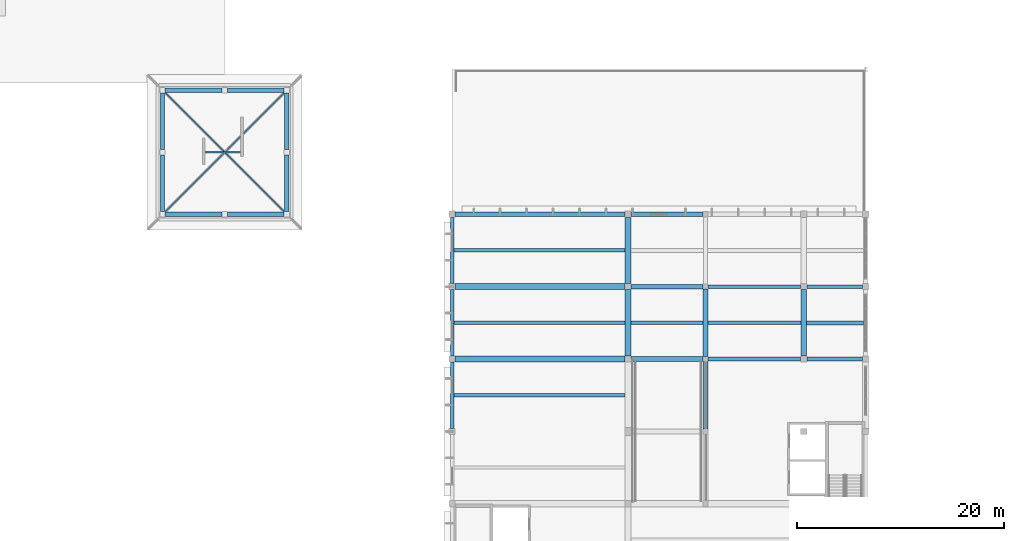
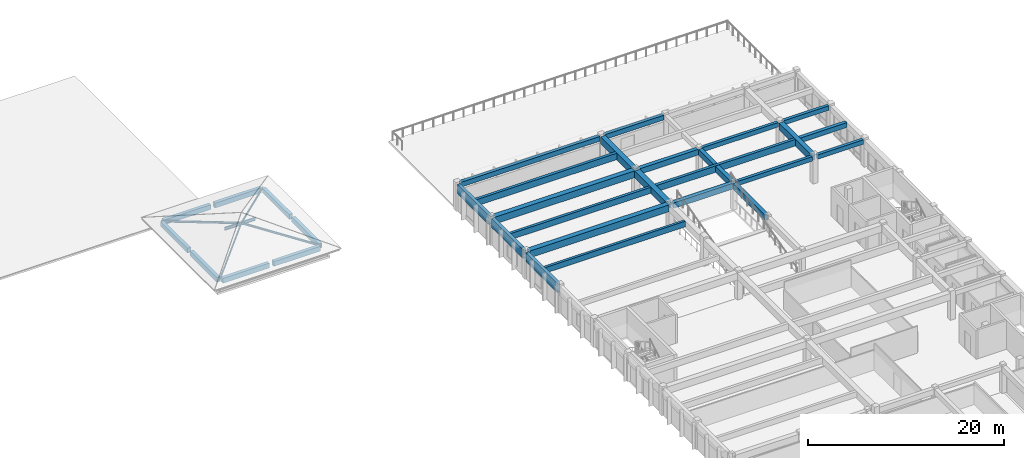
# One storey, part 13 of 33: 32 beams, 4 members.
"""IFC4 building model written with IfcOpenShell, lengths in metres."""

from ifc_helpers import new_model, si_unit, direction, frame, origin, origin_2d, place, context, subcontext, project, spatial, rectangle, i_section, extrude, material, material_profile, profile_set, type_object, element, save


model = new_model("IFC4")

# Units and contexts
model_context = context("Model", 3, precision=1e-05, world=origin(), true_north=direction((0.0, 1.0)))
body_context = subcontext(model_context, "Body", "Model", "MODEL_VIEW")
ifc_project = project(units=[si_unit("LENGTHUNIT", "METRE"), si_unit("AREAUNIT", "SQUARE_METRE"), si_unit("VOLUMEUNIT", "CUBIC_METRE"), si_unit("PLANEANGLEUNIT", "RADIAN"), si_unit("MASSUNIT", "GRAM", prefix="KILO")], contexts=[model_context])

# Site, building, storey
site_placement = place(None, origin())
site = spatial("IfcSite", under=ifc_project, at=site_placement, CompositionType="ELEMENT")
building_placement = place(site_placement, origin())
building = spatial("IfcBuilding", under=site, at=building_placement, Name="Larkveld Mobility Hub", CompositionType="ELEMENT")
storey_placement = place(building_placement, frame((0.0, 0.0, 15.60009765625)))
storey = spatial("IfcBuildingStorey", under=building, at=storey_placement, Name="L04", CompositionType="ELEMENT", Elevation=15.60009765625)

# Beams
ifc_material_1 = material(Name="Precast concrete C50/60", Category="concrete")
ifc_material_profile_1 = material_profile(ifc_material_1, rectangle(XDim=0.300048828125, YDim=0.699951171875, at=origin_2d()), Name="PC DT 300x700")
ifc_profile_set_1 = profile_set([ifc_material_profile_1], Name="Precast concrete C50/60")
beam_type_1 = type_object("IfcBeamType", Name="BM-DT3070", PredefinedType="T_BEAM", material=ifc_profile_set_1)
beam_1_placement = place(storey_placement, frame((112.169921875, 66.5, 3.02001953125), z_axis=(1.0, 0.0, 0.0), x_axis=(0.0, 1.0, 0.0)))
element("IfcBeam", 1, at=beam_1_placement, inside=storey, type_object=beam_type_1, Name="Precast Double-Tee Stem L04-1138", PredefinedType="T_BEAM", context=body_context, shape_type="SweptSolid", body=[
    extrude(rectangle(XDim=0.300048828125, YDim=0.699951171875, at=origin_2d()), origin(), (0.0, 0.0, 1.0), 16.53515625),
])
ifc_material_profile_2 = material_profile(ifc_material_1, rectangle(XDim=0.320068359375, YDim=0.75, at=origin_2d()), Name="PC DT 320x750")
ifc_profile_set_2 = profile_set([ifc_material_profile_2], Name="Precast concrete C50/60")
beam_type_2 = type_object("IfcBeamType", Name="BM-DT3275", PredefinedType="T_BEAM", material=ifc_profile_set_2)
beam_2_placement = place(storey_placement, frame((112.169921875, 73.5, 2.994873046875), z_axis=(1.0, 0.0, 0.0), x_axis=(0.0, 1.0, 0.0)))
element("IfcBeam", 2, at=beam_2_placement, inside=storey, type_object=beam_type_2, Name="Precast Double-Tee Stem L04-1139", PredefinedType="T_BEAM", context=body_context, shape_type="SweptSolid", body=[
    extrude(rectangle(XDim=0.320068359375, YDim=0.75, at=origin_2d()), origin(), (0.0, 0.0, 1.0), 16.53515625),
])
ifc_material_profile_3 = material_profile(ifc_material_1, rectangle(XDim=0.340087890625, YDim=0.800048828125, at=origin_2d()), Name="PC DT 340x800")
ifc_profile_set_3 = profile_set([ifc_material_profile_3], Name="Precast concrete C50/60")
beam_type_3 = type_object("IfcBeamType", Name="BM-DT3480", PredefinedType="T_BEAM", material=ifc_profile_set_3)
beam_3_placement = place(storey_placement, frame((129.294921875, 73.5, 2.969970703125), z_axis=(1.0, 0.0, 0.0), x_axis=(0.0, 1.0, 0.0)))
element("IfcBeam", 3, at=beam_3_placement, inside=storey, type_object=beam_type_3, Name="Precast Double-Tee Stem L04-1140", PredefinedType="T_BEAM", context=body_context, shape_type="SweptSolid", body=[
    extrude(rectangle(XDim=0.340087890625, YDim=0.800048828125, at=origin_2d()), origin(), (0.0, 0.0, 1.0), 16.43505859375),
])
beam_4_placement = place(storey_placement, frame((112.169921875, 80.5, 2.969970703125), z_axis=(1.0, 0.0, 0.0), x_axis=(0.0, 1.0, 0.0)))
element("IfcBeam", 4, at=beam_4_placement, inside=storey, type_object=beam_type_3, Name="Precast Double-Tee Stem L04-1142", PredefinedType="T_BEAM", context=body_context, shape_type="SweptSolid", body=[
    extrude(rectangle(XDim=0.340087890625, YDim=0.800048828125, at=origin_2d()), origin(), (0.0, 0.0, 1.0), 16.53515625),
])
ifc_material_profile_4 = material_profile(ifc_material_1, rectangle(XDim=0.60009765625, YDim=0.85009765625, at=origin_2d()), Name="PC ITB 600x850")
ifc_profile_set_4 = profile_set([ifc_material_profile_4], Name="Precast concrete C50/60")
beam_type_4 = type_object("IfcBeamType", Name="BM-ITB6085", PredefinedType="T_BEAM", material=ifc_profile_set_4)
for number, where, z_axis, x_axis, name in (
    (5, (112.300048828125, 70.0, 2.934814453125), (1.0, 0.0, 0.0), (0.0, 1.0, 0.0), "Primary E-W Girder L04-0884"),
    (6, (112.300048828125, 77.0, 2.934814453125), (1.0, 0.0, 0.0), (0.0, 1.0, 0.0), "Primary E-W Girder L04-0888"),
):
    element("IfcBeam", number, at=place(storey_placement, frame(where, z_axis=z_axis, x_axis=x_axis)), inside=storey, type_object=beam_type_4, Name=name, PredefinedType="T_BEAM", context=body_context, shape_type="SweptSolid", body=[
        extrude(rectangle(XDim=0.60009765625, YDim=0.85009765625, at=origin_2d()), origin(), (0.0, 0.0, 1.0), 16.39990234375),
    ])
for number, where, z_axis, x_axis, name in (
    (7, (129.0, 70.300048828125, 2.934814453125), (0.0, 1.0, 0.0), (-1.0, 0.0, 0.0), "Primary N-S Girder L04-0916"),
    (8, (129.0, 77.300048828125, 2.934814453125), (0.0, 1.0, 0.0), (-1.0, 0.0, 0.0), "Primary N-S Girder L04-0917"),
):
    element("IfcBeam", number, at=place(storey_placement, frame(where, z_axis=z_axis, x_axis=x_axis)), inside=storey, type_object=beam_type_4, Name=name, PredefinedType="T_BEAM", context=body_context, shape_type="SweptSolid", body=[
        extrude(rectangle(XDim=0.60009765625, YDim=0.85009765625, at=origin_2d()), origin(), (0.0, 0.0, 1.0), 6.39990234375),
    ])
ifc_material_2 = material(Name="Concrete C40/50", Category="concrete")
ifc_material_profile_5 = material_profile(ifc_material_2, rectangle(XDim=0.35009765625, YDim=0.550048828125, at=origin_2d()), Name="RC BM 350x550")
ifc_profile_set_5 = profile_set([ifc_material_profile_5], Name="Concrete C40/50")
beam_type_5 = type_object("IfcBeamType", Name="BM-RC3555", PredefinedType="BEAM", material=ifc_profile_set_5)
beam_5_placement = place(storey_placement, frame((136.75, 70.0, 3.0849609375), z_axis=(1.0, 0.0, 0.0), x_axis=(0.0, 1.0, 0.0)))
element("IfcBeam", 9, at=beam_5_placement, inside=storey, type_object=beam_type_5, Name="Primary E-W Girder L04-0886", PredefinedType="BEAM", context=body_context, shape_type="SweptSolid", body=[
    extrude(rectangle(XDim=0.35009765625, YDim=0.550048828125, at=origin_2d()), origin(), (0.0, 0.0, 1.0), 8.949951171875),
])
beam_6_placement = place(storey_placement, frame((146.300048828125, 70.0, 3.0849609375), z_axis=(1.0, 0.0, 0.0), x_axis=(0.0, 1.0, 0.0)))
element("IfcBeam", 10, at=beam_6_placement, inside=storey, type_object=beam_type_5, Name="Primary E-W Girder L04-0887", PredefinedType="BEAM", context=body_context, shape_type="SweptSolid", body=[
    extrude(rectangle(XDim=0.35009765625, YDim=0.550048828125, at=origin_2d()), origin(), (0.0, 0.0, 1.0), 5.39990234375),
])
beam_7_placement = place(storey_placement, frame((136.75, 77.0, 3.0849609375), z_axis=(1.0, 0.0, 0.0), x_axis=(0.0, 1.0, 0.0)))
element("IfcBeam", 11, at=beam_7_placement, inside=storey, type_object=beam_type_5, Name="Primary E-W Girder L04-0890", PredefinedType="BEAM", context=body_context, shape_type="SweptSolid", body=[
    extrude(rectangle(XDim=0.35009765625, YDim=0.550048828125, at=origin_2d()), origin(), (0.0, 0.0, 1.0), 8.949951171875),
])
beam_8_placement = place(storey_placement, frame((146.300048828125, 77.0, 3.0849609375), z_axis=(1.0, 0.0, 0.0), x_axis=(0.0, 1.0, 0.0)))
element("IfcBeam", 12, at=beam_8_placement, inside=storey, type_object=beam_type_5, Name="Primary E-W Girder L04-0891", PredefinedType="BEAM", context=body_context, shape_type="SweptSolid", body=[
    extrude(rectangle(XDim=0.35009765625, YDim=0.550048828125, at=origin_2d()), origin(), (0.0, 0.0, 1.0), 5.39990234375),
])
ifc_material_profile_6 = material_profile(ifc_material_2, rectangle(XDim=0.39990234375, YDim=0.60009765625, at=origin_2d()), Name="RC BM 400x600")
ifc_profile_set_6 = profile_set([ifc_material_profile_6], Name="Concrete C40/50")
beam_type_6 = type_object("IfcBeamType", Name="BM-RC4060", PredefinedType="BEAM", material=ifc_profile_set_6)
beam_9_placement = place(storey_placement, frame((112.300048828125, 84.0, 3.059814453125), z_axis=(1.0, 0.0, 0.0), x_axis=(0.0, 1.0, 0.0)))
element("IfcBeam", 13, at=beam_9_placement, inside=storey, type_object=beam_type_6, Name="Primary E-W Girder L04-0892", PredefinedType="BEAM", context=body_context, shape_type="SweptSolid", body=[
    extrude(rectangle(XDim=0.39990234375, YDim=0.60009765625, at=origin_2d()), origin(), (0.0, 0.0, 1.0), 16.39990234375),
])
beam_10_placement = place(storey_placement, frame((129.300048828125, 84.0, 3.059814453125), z_axis=(1.0, 0.0, 0.0), x_axis=(0.0, 1.0, 0.0)))
element("IfcBeam", 14, at=beam_10_placement, inside=storey, type_object=beam_type_6, Name="Primary E-W Girder L04-0893", PredefinedType="BEAM", context=body_context, shape_type="SweptSolid", body=[
    extrude(rectangle(XDim=0.39990234375, YDim=0.60009765625, at=origin_2d()), origin(), (0.0, 0.0, 1.0), 6.949951171875),
])
for number, where, z_axis, x_axis, name in (
    (15, (84.25, 84.0, 0.89990234375), (1.0, 0.0, 0.0), (0.0, 1.0, 0.0), "Pavilion Crown Eave Beam L04-0943"),
    (16, (90.25, 84.0, 0.89990234375), (1.0, 0.0, 0.0), (0.0, 1.0, 0.0), "Pavilion Crown Eave Beam L04-0943"),
    (17, (84.25, 96.0, 0.89990234375), (1.0, 0.0, 0.0), (0.0, 1.0, 0.0), "Pavilion Crown Eave Beam L04-0943"),
    (18, (90.25, 96.0, 0.89990234375), (1.0, 0.0, 0.0), (0.0, 1.0, 0.0), "Pavilion Crown Eave Beam L04-0943"),
    (19, (84.0, 84.25, 0.89990234375), (0.0, 1.0, 0.0), (-1.0, 0.0, 0.0), "Pavilion Crown Eave Beam L04-0943"),
    (20, (84.0, 90.25, 0.89990234375), (0.0, 1.0, 0.0), (-1.0, 0.0, 0.0), "Pavilion Crown Eave Beam L04-0943"),
    (21, (96.0, 84.25, 0.89990234375), (0.0, 1.0, 0.0), (-1.0, 0.0, 0.0), "Pavilion Crown Eave Beam L04-0943"),
    (22, (96.0, 90.25, 0.89990234375), (0.0, 1.0, 0.0), (-1.0, 0.0, 0.0), "Pavilion Crown Eave Beam L04-0943"),
):
    element("IfcBeam", number, at=place(storey_placement, frame(where, z_axis=z_axis, x_axis=x_axis)), inside=storey, type_object=beam_type_6, Name=name, PredefinedType="BEAM", context=body_context, shape_type="SweptSolid", body=[
        extrude(rectangle(XDim=0.39990234375, YDim=0.60009765625, at=origin_2d()), origin(), (0.0, 0.0, 1.0), 5.5),
    ])
beam_11_placement = place(storey_placement, frame((146.27001953125, 73.5, 3.06982421875), z_axis=(1.0, 0.0, 0.0), x_axis=(0.0, 1.0, 0.0)))
element("IfcBeam", 23, at=beam_11_placement, inside=storey, type_object=beam_type_6, Name="Concourse Spine Joist L04-1141", PredefinedType="BEAM", context=body_context, shape_type="SweptSolid", body=[
    extrude(rectangle(XDim=0.39990234375, YDim=0.60009765625, at=origin_2d()), origin(), (0.0, 0.0, 1.0), 5.510009765625),
])
ifc_material_profile_7 = material_profile(ifc_material_2, rectangle(XDim=0.449951171875, YDim=0.699951171875, at=origin_2d()), Name="RC BM 450x700")
ifc_profile_set_7 = profile_set([ifc_material_profile_7], Name="Concrete C40/50")
beam_type_7 = type_object("IfcBeamType", Name="BM-RC4570", PredefinedType="BEAM", material=ifc_profile_set_7)
for number, where, z_axis, x_axis, name in (
    (24, (129.300048828125, 70.0, 3.010009765625), (1.0, 0.0, 0.0), (0.0, 1.0, 0.0), "Primary E-W Girder L04-0885"),
    (25, (129.300048828125, 77.0, 3.010009765625), (1.0, 0.0, 0.0), (0.0, 1.0, 0.0), "Primary E-W Girder L04-0889"),
):
    element("IfcBeam", number, at=place(storey_placement, frame(where, z_axis=z_axis, x_axis=x_axis)), inside=storey, type_object=beam_type_7, Name=name, PredefinedType="BEAM", context=body_context, shape_type="SweptSolid", body=[
        extrude(rectangle(XDim=0.449951171875, YDim=0.699951171875, at=origin_2d()), origin(), (0.0, 0.0, 1.0), 6.949951171875),
    ])
beam_12_placement = place(storey_placement, frame((136.5, 63.25, 3.010009765625), z_axis=(0.0, 1.0, 0.0), x_axis=(-1.0, 0.0, 0.0)))
element("IfcBeam", 26, at=beam_12_placement, inside=storey, type_object=beam_type_7, Name="Ramp Edge Girder L04-0943", PredefinedType="BEAM", context=body_context, shape_type="SweptSolid", body=[
    extrude(rectangle(XDim=0.449951171875, YDim=0.699951171875, at=origin_2d()), origin(), (0.0, 0.0, 1.0), 6.5),
])
ifc_material_profile_8 = material_profile(ifc_material_2, rectangle(XDim=0.449951171875, YDim=0.75, at=origin_2d()), Name="RC BM 450x750")
ifc_profile_set_8 = profile_set([ifc_material_profile_8], Name="Concrete C40/50")
beam_type_8 = type_object("IfcBeamType", Name="BM-RC4575", PredefinedType="BEAM", material=ifc_profile_set_8)
beam_13_placement = place(storey_placement, frame((136.5, 70.25, 2.98486328125), z_axis=(0.0, 1.0, 0.0), x_axis=(-1.0, 0.0, 0.0)))
element("IfcBeam", 27, at=beam_13_placement, inside=storey, type_object=beam_type_8, Name="Primary N-S Girder L04-0921", PredefinedType="BEAM", context=body_context, shape_type="SweptSolid", body=[
    extrude(rectangle(XDim=0.449951171875, YDim=0.75, at=origin_2d()), origin(), (0.0, 0.0, 1.0), 6.5),
])
ifc_material_profile_9 = material_profile(ifc_material_2, rectangle(XDim=0.550048828125, YDim=0.85009765625, at=origin_2d()), Name="RC BM 550x850")
ifc_profile_set_9 = profile_set([ifc_material_profile_9], Name="Concrete C40/50")
beam_type_9 = type_object("IfcBeamType", Name="BM-RC5585", PredefinedType="BEAM", material=ifc_profile_set_9)
beam_14_placement = place(storey_placement, frame((146.0, 70.300048828125, 2.934814453125), z_axis=(0.0, 1.0, 0.0), x_axis=(-1.0, 0.0, 0.0)))
element("IfcBeam", 28, at=beam_14_placement, inside=storey, type_object=beam_type_9, Name="Primary N-S Girder L04-0928", PredefinedType="BEAM", context=body_context, shape_type="SweptSolid", body=[
    extrude(rectangle(XDim=0.550048828125, YDim=0.85009765625, at=origin_2d()), origin(), (0.0, 0.0, 1.0), 6.39990234375),
])
ifc_material_profile_10 = material_profile(ifc_material_1, rectangle(XDim=0.35009765625, YDim=1.14990234375, at=origin_2d()), Name="PC SP 350x1150")
ifc_profile_set_10 = profile_set([ifc_material_profile_10], Name="Precast concrete C50/60")
beam_type_10 = type_object("IfcBeamType", Name="BM-SP35115", PredefinedType="SPANDREL", material=ifc_profile_set_10)
for number, where, z_axis, x_axis, name in (
    (29, (112.0, 63.300048828125, 2.784912109375), (0.0, 1.0, 0.0), (-1.0, 0.0, 0.0), "Primary N-S Girder L04-0904"),
    (30, (112.0, 70.300048828125, 2.784912109375), (0.0, 1.0, 0.0), (-1.0, 0.0, 0.0), "Primary N-S Girder L04-0905"),
    (31, (112.0, 77.300048828125, 2.784912109375), (0.0, 1.0, 0.0), (-1.0, 0.0, 0.0), "Primary N-S Girder L04-0906"),
):
    element("IfcBeam", number, at=place(storey_placement, frame(where, z_axis=z_axis, x_axis=x_axis)), inside=storey, type_object=beam_type_10, Name=name, PredefinedType="SPANDREL", context=body_context, shape_type="SweptSolid", body=[
        extrude(rectangle(XDim=0.35009765625, YDim=1.14990234375, at=origin_2d()), origin(), (0.0, 0.0, 1.0), 6.39990234375),
    ])
ifc_material_3 = material(Name="Steel S355JR", Category="steel")
ifc_material_profile_11 = material_profile(ifc_material_3, i_section(OverallWidth=0.169921875, OverallDepth=0.360107421875, WebThickness=0.008056640625, FlangeThickness=0.0126953125, FilletRadius=0.01806640625, at=origin_2d()), Name="IPE 360")
ifc_profile_set_11 = profile_set([ifc_material_profile_11], Name="Steel S355JR")
beam_type_11 = type_object("IfcBeamType", Name="BM-STIPE360", PredefinedType="BEAM", material=ifc_profile_set_11)
beam_15_placement = place(storey_placement, frame((88.0, 90.0, 2.31982421875), z_axis=(1.0, 0.0, 0.0), x_axis=(0.0, 1.0, 0.0)))
element("IfcBeam", 32, at=beam_15_placement, inside=storey, type_object=beam_type_11, Name="Pavilion Apex Ridge Support Beam L04-1749", PredefinedType="BEAM", context=body_context, shape_type="SweptSolid", body=[
    extrude(i_section(OverallWidth=0.169921875, OverallDepth=0.360107421875, WebThickness=0.008056640625, FlangeThickness=0.0126953125, FilletRadius=0.01806640625, at=origin_2d()), origin(), (0.0, 0.0, 1.0), 3.64990234375),
])

# Members
ifc_material_profile_12 = material_profile(ifc_material_3, i_section(OverallWidth=0.1201171875, OverallDepth=0.239990234375, WebThickness=0.006103515625, FlangeThickness=0.009765625, FilletRadius=0.014892578125, at=origin_2d()), Name="IPE 240")
ifc_profile_set_12 = profile_set([ifc_material_profile_12], Name="Steel S355JR")
member_type = type_object("IfcMemberType", Name="MB-PR-IPE240", PredefinedType="PURLIN", material=ifc_profile_set_12)
for number, where, z_axis, x_axis, name in (
    (33, (84.0, 84.0, 1.0498046875), (0.698826914383, 0.698826914383, 0.152584034122), (-0.707106781187, 0.707106781187, 0.0), "ROOF TRUSS Pavilion Hip Member 1"),
    (34, (96.0, 84.0, 1.0498046875), (-0.698826914383, 0.698826914383, 0.152584034122), (-0.707106781187, -0.707106781187, 0.0), "ROOF TRUSS Pavilion Hip Member 2"),
    (35, (96.0, 96.0, 1.0498046875), (-0.698826914383, -0.698826914383, 0.152584034122), (0.707106781187, -0.707106781187, 0.0), "ROOF TRUSS Pavilion Hip Member 3"),
    (36, (84.0, 96.0, 1.0498046875), (0.698826914383, -0.698826914383, 0.152584034122), (0.707106781187, 0.707106781187, 0.0), "ROOF TRUSS Pavilion Hip Member 4"),
):
    element("IfcMember", number, at=place(storey_placement, frame(where, z_axis=z_axis, x_axis=x_axis)), inside=storey, type_object=member_type, Name=name, PredefinedType="PURLIN", context=body_context, shape_type="SweptSolid", body=[
        extrude(i_section(OverallWidth=0.1201171875, OverallDepth=0.239990234375, WebThickness=0.006103515625, FlangeThickness=0.009765625, FilletRadius=0.014892578125, at=origin_2d()), origin(), (0.0, 0.0, 1.0), 8.5859375),
    ])

save(model, "model.ifc")
